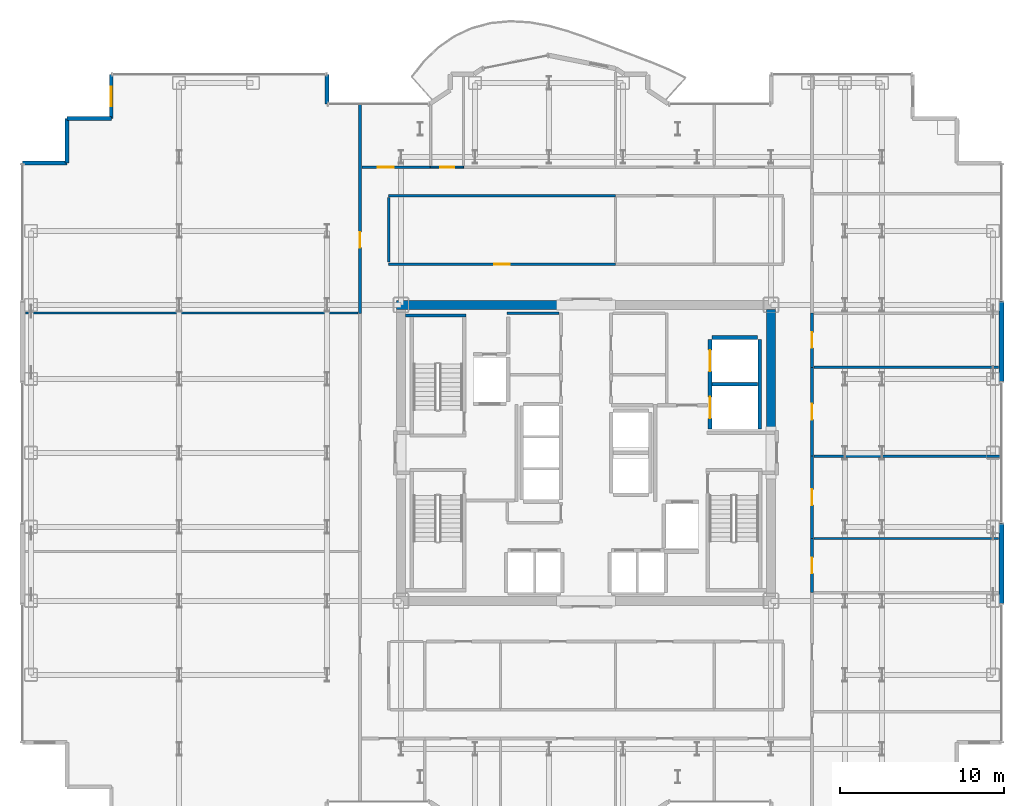
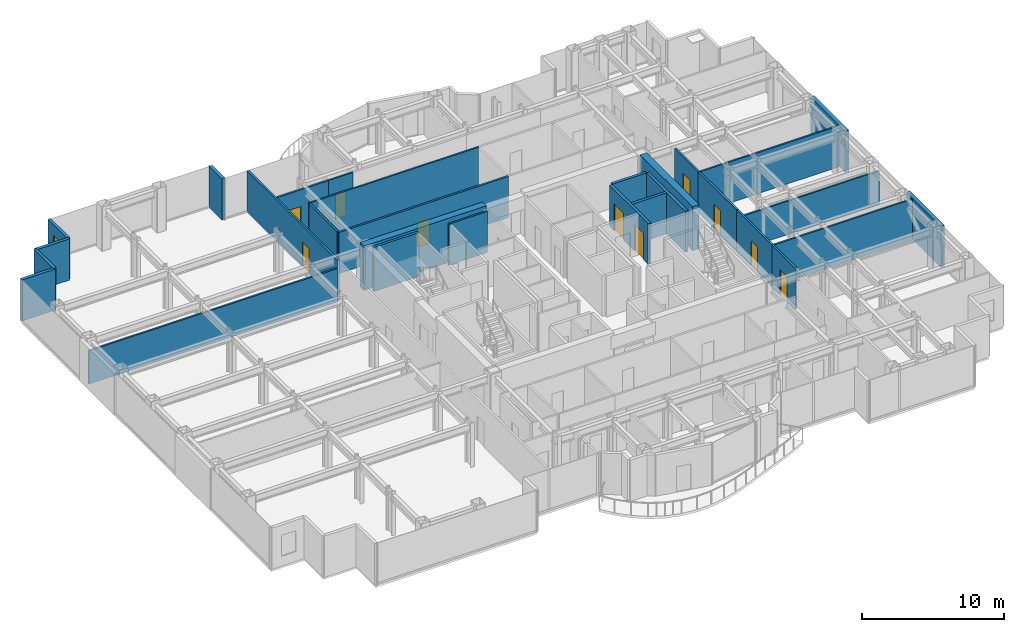
# One storey, part 22 of 26: 29 walls, 10 doors, 1 window, 11 openings.
"""IFC4 building model written with IfcOpenShell, lengths in metres."""

from ifc_helpers import new_model, si_unit, direction, frame, frame_2d, origin, place, context, subcontext, project, spatial, rectangle, extrude, source, transform, mapped, material, layer, layer_set, type_object, element, fill, save


model = new_model("IFC4")

# Units and contexts
model_context = context("Model", 3, precision=1e-05, world=origin(), true_north=direction((0.0, 1.0)))
body_context = subcontext(model_context, "Body", "Model", "MODEL_VIEW")
ifc_project = project(units=[si_unit("LENGTHUNIT", "METRE"), si_unit("AREAUNIT", "SQUARE_METRE"), si_unit("VOLUMEUNIT", "CUBIC_METRE"), si_unit("PLANEANGLEUNIT", "RADIAN"), si_unit("MASSUNIT", "GRAM", prefix="KILO")], contexts=[model_context])

# Site, building, storey
site_placement = place(None, origin())
site = spatial("IfcSite", under=ifc_project, at=site_placement, CompositionType="ELEMENT")
building_placement = place(site_placement, origin())
building = spatial("IfcBuilding", under=site, at=building_placement, Name="Nefas-Gora Pilgrimage Tower", CompositionType="ELEMENT")
storey_placement = place(building_placement, frame((0.0, 0.0, 171.60009765625)))
storey = spatial("IfcBuildingStorey", under=building, at=storey_placement, Name="L42", CompositionType="ELEMENT", Elevation=171.60009765625)

# Walls
ifc_material_1 = material(Name="Concrete C60/75", Category="concrete")
ifc_layer_1 = layer(ifc_material_1, 0.550048828125)
ifc_layer_set_1 = layer_set([ifc_layer_1], Name="Concrete C60/75")
wall_type_1 = type_object("IfcWallType", Name="SW-CORE-550", PredefinedType="SHEAR", material=ifc_layer_set_1)
shared_shape_1 = source(origin(), body_context, "Body", "SweptSolid", [
    extrude(rectangle(XDim=9.974853515625, YDim=0.550048828125, at=frame_2d((4.9873046875, 0.0))), origin(), (0.0, 0.0, 1.0), 3.7998046875),
])
wall_1_placement = place(storey_placement, frame((-11.52490234375, 9.0, 0.0), z_axis=(0.0, 0.0, 1.0), x_axis=(1.0, 0.0, 0.0)))
element("IfcWall", 1, at=wall_1_placement, inside=storey, type_object=wall_type_1, Name="L42 Core Shear Wall N-West", PredefinedType="SHEAR", context=body_context, shape_type="MappedRepresentation", body=[
    mapped(shared_shape_1, transform((0.0, 0.0, 0.0), x_axis=(1.0, 0.0, 0.0), y_axis=(0.0, 1.0, 0.0), z_axis=(0.0, 0.0, 1.0), scale=1.0)),
])
shared_shape_2 = source(origin(), body_context, "Body", "SweptSolid", [
    extrude(rectangle(XDim=7.375, YDim=0.550048828125, at=frame_2d((3.6875, 0.0))), origin(), (0.0, 0.0, 1.0), 3.7998046875),
])
wall_2_placement = place(storey_placement, frame((11.25, 1.35009765625, 0.0), z_axis=(0.0, 0.0, 1.0), x_axis=(0.0, 1.0, 0.0)))
element("IfcWall", 2, at=wall_2_placement, inside=storey, type_object=wall_type_1, Name="L42 Core Shear Wall E-North", PredefinedType="SHEAR", context=body_context, shape_type="MappedRepresentation", body=[
    mapped(shared_shape_2, transform((0.0, 0.0, 0.0), x_axis=(1.0, 0.0, 0.0), y_axis=(0.0, 1.0, 0.0), z_axis=(0.0, 0.0, 1.0), scale=1.0)),
])
ifc_material_2 = material(Name="Precast concrete C40/50", Category="concrete")
ifc_layer_2 = layer(ifc_material_2, 0.260009765625)
ifc_layer_set_2 = layer_set([ifc_layer_2], Name="Precast concrete C40/50")
wall_type_2 = type_object("IfcWallType", Name="EW-PORTAL-260", PredefinedType="SOLIDWALL", material=ifc_layer_set_2)
shared_shape_3 = source(origin(), body_context, "Body", "SweptSolid", [
    extrude(rectangle(XDim=1.800048828125, YDim=0.260009765625, at=frame_2d((0.89990234375, 0.0))), origin(), (0.0, 0.0, 1.0), 3.5498046875),
])
wall_3_placement = place(storey_placement, frame((-15.75, 21.219970703125, 0.0), z_axis=(0.0, 0.0, 1.0), x_axis=(0.0, 1.0, 0.0)))
element("IfcWall", 3, at=wall_3_placement, inside=storey, type_object=wall_type_2, Name="L42 Lobe Shoulder Precast Spandrel Pier 24", PredefinedType="SOLIDWALL", context=body_context, shape_type="MappedRepresentation", body=[
    mapped(shared_shape_3, transform((0.0, 0.0, 0.0), x_axis=(1.0, 0.0, 0.0), y_axis=(0.0, 1.0, 0.0), z_axis=(0.0, 0.0, 1.0), scale=1.0)),
])

# Wall, opening, window
ifc_material_3 = material(Name="Precast concrete C45/55", Category="concrete")
ifc_layer_3 = layer(ifc_material_3, 0.239990234375)
ifc_layer_set_3 = layer_set([ifc_layer_3], Name="Precast concrete C45/55")
wall_type_3 = type_object("IfcWallType", Name="EW-SERR-240", PredefinedType="SHEAR", material=ifc_layer_set_3)
shared_shape_4 = source(origin(), body_context, "Body", "SweptSolid", [
    extrude(rectangle(XDim=2.699951171875, YDim=0.239990234375, at=frame_2d((1.35009765625, 0.0))), origin(), (0.0, 0.0, 1.0), 3.5498046875),
])
wall_4_placement = place(storey_placement, frame((-28.8701171875, 23.02001953125, 0.0), z_axis=(0.0, 0.0, 1.0), x_axis=(0.0, -1.0, 0.0)))
wall_4 = element("IfcWall", 4, at=wall_4_placement, inside=storey, type_object=wall_type_3, Name="L42 Serrated Corner Shear Pier Wall 25", PredefinedType="SHEAR", context=body_context, shape_type="MappedRepresentation", body=[
    mapped(shared_shape_4, transform((0.0, 0.0, 0.0), x_axis=(1.0, 0.0, 0.0), y_axis=(0.0, 1.0, 0.0), z_axis=(0.0, 0.0, 1.0), scale=1.0)),
])
opening_1_placement = place(wall_4_placement, frame((0.75, 0.0, 0.85009765625)))
opening_1 = element("IfcOpeningElement", 5, at=opening_1_placement, cuts=wall_4, Name="Opening W-V1", PredefinedType="OPENING", context=body_context, shape_type="SweptSolid", body=[
    extrude(rectangle(XDim=1.199951171875, YDim=1.800048828125, at=frame_2d((0.60009765625, 0.89990234375))), frame((0.0, 0.1298828125, 0.0), z_axis=(0.0, -1.0, 0.0), x_axis=(1.0, 0.0, 0.0)), (0.0, 0.0, 1.0), 0.260009765625),
])
ifc_material_4 = material(Name="Dark ceramic-fritted operable aluminium-glass window", Category="aluminium")
window_type = type_object("IfcWindowType", Name="WIN-VENT-1200x1800", PartitioningType="SINGLE_PANEL", PredefinedType="WINDOW", material=ifc_material_4)
shared_shape_5 = source(origin(), body_context, "Body", "SweptSolid", [
    extrude(rectangle(XDim=1.199951171875, YDim=1.800048828125, at=frame_2d((0.60009765625, 0.89990234375))), frame((0.0, 0.030029296875, 0.0), z_axis=(0.0, -1.0, 0.0), x_axis=(1.0, 0.0, 0.0)), (0.0, 0.0, 1.0), 0.06005859375),
])
window_placement = place(opening_1_placement, origin())
window = element("IfcWindow", 6, at=window_placement, inside=storey, type_object=window_type, Name="L42 Operable Parallel-Outswing Window 25", OverallHeight=1.800048828125, OverallWidth=1.199951171875, PartitioningType="SINGLE_PANEL", PredefinedType="WINDOW", context=body_context, shape_type="MappedRepresentation", body=[
    mapped(shared_shape_5, transform((0.0, 0.0, 0.0), x_axis=(1.0, 0.0, 0.0), y_axis=(0.0, 1.0, 0.0), z_axis=(0.0, 0.0, 1.0), scale=1.0)),
])
fill(opening_1, window)

# Walls
for number, where, z_axis, x_axis, name in (
    (7, (-28.8701171875, 20.320068359375, 0.0), (0.0, 0.0, 1.0), (-1.0, 0.0, 0.0), "L42 Serrated Corner Shear Pier Wall 26"),
    (8, (-31.570068359375, 20.320068359375, 0.0), (0.0, 0.0, 1.0), (0.0, -1.0, 0.0), "L42 Serrated Corner Shear Pier Wall 27"),
    (9, (-31.570068359375, 17.6201171875, 0.0), (0.0, 0.0, 1.0), (-1.0, 0.0, 0.0), "L42 Serrated Corner Shear Pier Wall 28"),
):
    element("IfcWall", number, at=place(storey_placement, frame(where, z_axis=z_axis, x_axis=x_axis)), inside=storey, type_object=wall_type_3, Name=name, PredefinedType="SHEAR", context=body_context, shape_type="MappedRepresentation", body=[
        mapped(shared_shape_4, transform((0.0, 0.0, 0.0), x_axis=(1.0, 0.0, 0.0), y_axis=(0.0, 1.0, 0.0), z_axis=(0.0, 0.0, 1.0), scale=1.0)),
    ])
shared_shape_6 = source(origin(), body_context, "Body", "SweptSolid", [
    extrude(rectangle(XDim=4.8798828125, YDim=0.300048828125, at=frame_2d((2.43994140625, 0.0))), origin(), (0.0, 0.0, 1.0), 3.5498046875),
])
for number, where, z_axis, x_axis, name in (
    (10, (25.27001953125, -9.18994140625, 0.0), (0.0, 0.0, 1.0), (0.0, 1.0, 0.0), "L42 Braced-Tube Precast Shear Cladding 3"),
    (11, (25.27001953125, 4.31005859375, 0.0), (0.0, 0.0, 1.0), (0.0, 1.0, 0.0), "L42 Braced-Tube Precast Shear Cladding 4"),
):
    element("IfcWall", number, at=place(storey_placement, frame(where, z_axis=z_axis, x_axis=x_axis)), inside=storey, type_object=wall_type_3, Name=name, PredefinedType="SHEAR", context=body_context, shape_type="MappedRepresentation", body=[
        mapped(shared_shape_6, transform((0.0, 0.0, 0.0), x_axis=(1.0, 0.0, 0.0), y_axis=(0.0, 1.0, 0.0), z_axis=(0.0, 0.0, 1.0), scale=1.0)),
    ])
ifc_material_5 = material(Name="Concrete C45/55", Category="concrete")
ifc_layer_4 = layer(ifc_material_5, 0.199951171875)
ifc_layer_set_4 = layer_set([ifc_layer_4], Name="Concrete C45/55")
wall_type_4 = type_object("IfcWallType", Name="IW-STAIR-200", PredefinedType="SOLIDWALL", material=ifc_layer_set_4)
shared_shape_7 = source(origin(), body_context, "Body", "SweptSolid", [
    extrude(rectangle(XDim=3.679931640625, YDim=0.199951171875, at=frame_2d((1.83984375, 0.0))), origin(), (0.0, 0.0, 1.0), 3.7998046875),
])
wall_5_placement = place(storey_placement, frame((-7.300048828125, 8.35009765625, 0.0), z_axis=(0.0, 0.0, 1.0), x_axis=(-1.0, 0.0, 0.0)))
element("IfcWall", 12, at=wall_5_placement, inside=storey, type_object=wall_type_4, Name="L42 Stairwell Shear Wall ST-01-far", PredefinedType="SOLIDWALL", context=body_context, shape_type="MappedRepresentation", body=[
    mapped(shared_shape_7, transform((0.0, 0.0, 0.0), x_axis=(1.0, 0.0, 0.0), y_axis=(0.0, 1.0, 0.0), z_axis=(0.0, 0.0, 1.0), scale=1.0)),
])

# Wall, openings, doors
ifc_material_6 = material(Name="Concrete C40/50", Category="concrete")
ifc_layer_5 = layer(ifc_material_6, 0.219970703125)
ifc_layer_set_5 = layer_set([ifc_layer_5], Name="Concrete C40/50")
wall_type_5 = type_object("IfcWallType", Name="IW-SHAFT-220", PredefinedType="SOLIDWALL", material=ifc_layer_set_5)
shared_shape_8 = source(origin(), body_context, "Body", "SweptSolid", [
    extrude(rectangle(XDim=5.449951171875, YDim=0.219970703125, at=frame_2d((2.72509765625, 0.0))), origin(), (0.0, 0.0, 1.0), 3.534912109375),
])
wall_6_placement = place(storey_placement, frame((7.5400390625, 6.89990234375, 0.0), z_axis=(0.0, 0.0, 1.0), x_axis=(0.0, -1.0, 0.0)))
wall_6 = element("IfcWall", 13, at=wall_6_placement, inside=storey, type_object=wall_type_5, Name="L42 Hoistway Wall SL-01-02-W", PredefinedType="SOLIDWALL", context=body_context, shape_type="MappedRepresentation", body=[
    mapped(shared_shape_8, transform((0.0, 0.0, 0.0), x_axis=(1.0, 0.0, 0.0), y_axis=(0.0, 1.0, 0.0), z_axis=(0.0, 0.0, 1.0), scale=1.0)),
])
opening_2_placement = place(wall_6_placement, frame((3.5, 0.0, 0.0)))
opening_2 = element("IfcOpeningElement", 14, at=opening_2_placement, cuts=wall_6, Name="Opening LD-SV", PredefinedType="OPENING", context=body_context, shape_type="SweptSolid", body=[
    extrude(rectangle(XDim=1.300048828125, YDim=2.300048828125, at=frame_2d((0.64990234375, 1.14990234375))), frame((0.0, 0.119873046875, 0.0), z_axis=(0.0, -1.0, 0.0), x_axis=(1.0, 0.0, 0.0)), (0.0, 0.0, 1.0), 0.239990234375),
])
opening_3_placement = place(wall_6_placement, frame((0.64990234375, 0.0, 0.0)))
opening_3 = element("IfcOpeningElement", 15, at=opening_3_placement, cuts=wall_6, Name="Opening LD-SV", PredefinedType="OPENING", context=body_context, shape_type="SweptSolid", body=[
    extrude(rectangle(XDim=1.300048828125, YDim=2.300048828125, at=frame_2d((0.64990234375, 1.14990234375))), frame((0.0, 0.119873046875, 0.0), z_axis=(0.0, -1.0, 0.0), x_axis=(1.0, 0.0, 0.0)), (0.0, 0.0, 1.0), 0.239990234375),
])
ifc_material_7 = material(Name="Heavy goods sliding lift landing door")
door_type_1 = type_object("IfcDoorType", Name="DR-LIFT-SERV-1300", OperationType="SLIDING_TO_RIGHT", PredefinedType="DOOR", material=ifc_material_7)
shared_shape_9 = source(origin(), body_context, "Body", "SweptSolid", [
    extrude(rectangle(XDim=1.300048828125, YDim=2.300048828125, at=frame_2d((0.64990234375, 1.14990234375))), frame((0.0, 0.02490234375, 0.0), z_axis=(0.0, -1.0, 0.0), x_axis=(1.0, 0.0, 0.0)), (0.0, 0.0, 1.0), 0.050048828125),
])
door_1_placement = place(opening_2_placement, origin())
door_1 = element("IfcDoor", 16, at=door_1_placement, inside=storey, type_object=door_type_1, Name="L42 Sliding Lift Landing Door SL-01", OperationType="SLIDING_TO_RIGHT", OverallHeight=2.300048828125, OverallWidth=1.300048828125, PredefinedType="DOOR", context=body_context, shape_type="MappedRepresentation", body=[
    mapped(shared_shape_9, transform((0.0, 0.0, 0.0), x_axis=(1.0, 0.0, 0.0), y_axis=(0.0, 1.0, 0.0), z_axis=(0.0, 0.0, 1.0), scale=1.0)),
])
fill(opening_2, door_1)
door_2_placement = place(opening_3_placement, origin())
door_2 = element("IfcDoor", 17, at=door_2_placement, inside=storey, type_object=door_type_1, Name="L42 Sliding Lift Landing Door SL-02", OperationType="SLIDING_TO_RIGHT", OverallHeight=2.300048828125, OverallWidth=1.300048828125, PredefinedType="DOOR", context=body_context, shape_type="MappedRepresentation", body=[
    mapped(shared_shape_9, transform((0.0, 0.0, 0.0), x_axis=(1.0, 0.0, 0.0), y_axis=(0.0, 1.0, 0.0), z_axis=(0.0, 0.0, 1.0), scale=1.0)),
])
fill(opening_3, door_2)

# Walls
wall_7_placement = place(storey_placement, frame((10.56005859375, 1.449951171875, 0.0), z_axis=(0.0, 0.0, 1.0), x_axis=(0.0, 1.0, 0.0)))
element("IfcWall", 18, at=wall_7_placement, inside=storey, type_object=wall_type_5, Name="L42 Hoistway Wall SL-01-02-E", PredefinedType="SOLIDWALL", context=body_context, shape_type="MappedRepresentation", body=[
    mapped(shared_shape_8, transform((0.0, 0.0, 0.0), x_axis=(1.0, 0.0, 0.0), y_axis=(0.0, 1.0, 0.0), z_axis=(0.0, 0.0, 1.0), scale=1.0)),
])
shared_shape_10 = source(origin(), body_context, "Body", "SweptSolid", [
    extrude(rectangle(XDim=2.780029296875, YDim=0.219970703125, at=frame_2d((1.39013671875, 0.0))), origin(), (0.0, 0.0, 1.0), 3.534912109375),
])
for number, where, z_axis, x_axis, name in (
    (19, (7.659912109375, 4.175048828125, 0.0), (0.0, 0.0, 1.0), (1.0, 0.0, 0.0), "L42 Hoistway Wall SL-01-02-DIV"),
    (20, (10.43994140625, 7.010009765625, 0.0), (0.0, 0.0, 1.0), (-1.0, 0.0, 0.0), "L42 Hoistway Wall SL-02-N"),
):
    element("IfcWall", number, at=place(storey_placement, frame(where, z_axis=z_axis, x_axis=x_axis)), inside=storey, type_object=wall_type_5, Name=name, PredefinedType="SOLIDWALL", context=body_context, shape_type="MappedRepresentation", body=[
        mapped(shared_shape_10, transform((0.0, 0.0, 0.0), x_axis=(1.0, 0.0, 0.0), y_axis=(0.0, 1.0, 0.0), z_axis=(0.0, 0.0, 1.0), scale=1.0)),
    ])

# Wall, opening, door
ifc_material_8 = material(Name="Moisture-resistant fire-rated gypsum partition")
ifc_layer_6 = layer(ifc_material_8, 0.1201171875)
ifc_layer_set_6 = layer_set([ifc_layer_6], Name="Moisture-resistant fire-rated gypsum partition")
wall_type_6 = type_object("IfcWallType", Name="IW-WET-120", PredefinedType="PLUMBINGWALL", material=ifc_layer_set_6)
shared_shape_11 = source(origin(), body_context, "Body", "SweptSolid", [
    extrude(rectangle(XDim=2.02001953125, YDim=0.1201171875, at=frame_2d((1.010009765625, 0.0))), origin(), (0.0, 0.0, 1.0), 3.534912109375),
])
wall_8_placement = place(storey_placement, frame((-9.4599609375, 17.3701171875, 0.0), z_axis=(0.0, 0.0, 1.0), x_axis=(1.0, 0.0, 0.0)))
wall_8 = element("IfcWall", 21, at=wall_8_placement, inside=storey, type_object=wall_type_6, Name="L42 Accessible Unisex WC Partition Wall 29", PredefinedType="PLUMBINGWALL", context=body_context, shape_type="MappedRepresentation", body=[
    mapped(shared_shape_11, transform((0.0, 0.0, 0.0), x_axis=(1.0, 0.0, 0.0), y_axis=(0.0, 1.0, 0.0), z_axis=(0.0, 0.0, 1.0), scale=1.0)),
])
opening_4_placement = place(wall_8_placement, frame((0.5849609375, 0.0, 0.0)))
opening_4 = element("IfcOpeningElement", 22, at=opening_4_placement, cuts=wall_8, Name="Opening ID-BT1", PredefinedType="OPENING", context=body_context, shape_type="SweptSolid", body=[
    extrude(rectangle(XDim=0.85009765625, YDim=2.10009765625, at=frame_2d((0.425048828125, 1.050048828125))), frame((0.0, 0.070068359375, 0.0), z_axis=(0.0, -1.0, 0.0), x_axis=(1.0, 0.0, 0.0)), (0.0, 0.0, 1.0), 0.14013671875),
])
ifc_material_9 = material(Name="Moisture-resistant fire-rated timber door", Category="wood")
door_type_2 = type_object("IfcDoorType", Name="DR-INT-BATH-850", OperationType="NOTDEFINED", PredefinedType="DOOR", material=ifc_material_9)
shared_shape_12 = source(origin(), body_context, "Body", "SweptSolid", [
    extrude(rectangle(XDim=0.85009765625, YDim=2.10009765625, at=frame_2d((0.425048828125, 1.050048828125))), frame((0.0, 0.02490234375, 0.0), z_axis=(0.0, -1.0, 0.0), x_axis=(1.0, 0.0, 0.0)), (0.0, 0.0, 1.0), 0.050048828125),
])
door_3_placement = place(opening_4_placement, origin())
door_3 = element("IfcDoor", 23, at=door_3_placement, inside=storey, type_object=door_type_2, Name="L42 Accessible Unisex WC Door 12", OperationType="SINGLE_SWING_LEFT", OverallHeight=2.10009765625, OverallWidth=0.85009765625, PredefinedType="DOOR", context=body_context, shape_type="MappedRepresentation", body=[
    mapped(shared_shape_12, transform((0.0, 0.0, 0.0), x_axis=(1.0, 0.0, 0.0), y_axis=(0.0, 1.0, 0.0), z_axis=(0.0, 0.0, 1.0), scale=1.0)),
])
fill(opening_4, door_3)

# Wall
ifc_material_10 = material(Name="Gypsum twin-stud partition")
ifc_layer_7 = layer(ifc_material_10, 0.139892578125)
ifc_layer_set_7 = layer_set([ifc_layer_7], Name="Gypsum twin-stud partition")
wall_type_7 = type_object("IfcWallType", Name="IW-UNIT-140", PredefinedType="PARTITIONING", material=ifc_layer_set_7)
shared_shape_13 = source(origin(), body_context, "Body", "SweptSolid", [
    extrude(rectangle(XDim=3.150146484375, YDim=0.139892578125, at=frame_2d((1.5751953125, 0.0))), origin(), (0.0, 0.0, 1.0), 3.534912109375),
])
wall_9_placement = place(storey_placement, frame((-4.7900390625, 8.47998046875, 0.0), z_axis=(0.0, 0.0, 1.0), x_axis=(1.0, 0.0, 0.0)))
element("IfcWall", 24, at=wall_9_placement, inside=storey, type_object=wall_type_7, Name="L42 Archival Supply Store Partition Wall 21", PredefinedType="PARTITIONING", context=body_context, shape_type="MappedRepresentation", body=[
    mapped(shared_shape_13, transform((0.0, 0.0, 0.0), x_axis=(1.0, 0.0, 0.0), y_axis=(0.0, 1.0, 0.0), z_axis=(0.0, 0.0, 1.0), scale=1.0)),
])

# Wall, opening, door
ifc_material_11 = material(Name="Gypsum acoustic stud partition")
ifc_layer_8 = layer(ifc_material_11, 0.159912109375)
ifc_layer_set_8 = layer_set([ifc_layer_8], Name="Gypsum acoustic stud partition")
wall_type_8 = type_object("IfcWallType", Name="IW-CORR-160", PredefinedType="PARTITIONING", material=ifc_layer_set_8)
shared_shape_14 = source(origin(), body_context, "Body", "SweptSolid", [
    extrude(rectangle(XDim=12.75244140625, YDim=0.159912109375, at=frame_2d((6.376220703125, 0.0))), origin(), (0.0, 0.0, 1.0), 3.534912109375),
])
wall_10_placement = place(storey_placement, frame((-13.739990234375, 8.487548828125, 0.0), z_axis=(0.0, 0.0, 1.0), x_axis=(0.0, 1.0, 0.0)))
wall_10 = element("IfcWall", 25, at=wall_10_placement, inside=storey, type_object=wall_type_8, Name="L42 Pilgrim Tea and Beverage Pantry Partition Wall 34", PredefinedType="PARTITIONING", context=body_context, shape_type="MappedRepresentation", body=[
    mapped(shared_shape_14, transform((0.0, 0.0, 0.0), x_axis=(1.0, 0.0, 0.0), y_axis=(0.0, 1.0, 0.0), z_axis=(0.0, 0.0, 1.0), scale=1.0)),
])
opening_5_placement = place(wall_10_placement, frame((3.986328125, 0.0, 0.0)))
opening_5 = element("IfcOpeningElement", 26, at=opening_5_placement, cuts=wall_10, Name="Opening ID-GR1", PredefinedType="OPENING", context=body_context, shape_type="SweptSolid", body=[
    extrude(rectangle(XDim=0.949951171875, YDim=2.10009765625, at=frame_2d((0.47509765625, 1.050048828125))), frame((0.0, 0.08984375, 0.0), z_axis=(0.0, -1.0, 0.0), x_axis=(1.0, 0.0, 0.0)), (0.0, 0.0, 1.0), 0.179931640625),
])
ifc_material_12 = material(Name="Solid core oak fire-rated guest entrance door")
door_type_3 = type_object("IfcDoorType", Name="DR-INT-GUEST-950", OperationType="NOTDEFINED", PredefinedType="DOOR", material=ifc_material_12)
shared_shape_15 = source(origin(), body_context, "Body", "SweptSolid", [
    extrude(rectangle(XDim=0.949951171875, YDim=2.10009765625, at=frame_2d((0.47509765625, 1.050048828125))), frame((0.0, 0.02490234375, 0.0), z_axis=(0.0, -1.0, 0.0), x_axis=(1.0, 0.0, 0.0)), (0.0, 0.0, 1.0), 0.050048828125),
])
door_4_placement = place(opening_5_placement, origin())
door_4 = element("IfcDoor", 27, at=door_4_placement, inside=storey, type_object=door_type_3, Name="L42 Pilgrim Tea and Beverage Pantry Door 14", OperationType="SINGLE_SWING_LEFT", OverallHeight=2.10009765625, OverallWidth=0.949951171875, PredefinedType="DOOR", context=body_context, shape_type="MappedRepresentation", body=[
    mapped(shared_shape_15, transform((0.0, 0.0, 0.0), x_axis=(1.0, 0.0, 0.0), y_axis=(0.0, 1.0, 0.0), z_axis=(0.0, 0.0, 1.0), scale=1.0)),
])
fill(opening_5, door_4)

shared_shape_16 = source(origin(), body_context, "Body", "SweptSolid", [
    extrude(rectangle(XDim=3.309814453125, YDim=0.159912109375, at=frame_2d((1.65478515625, 0.0))), origin(), (0.0, 0.0, 1.0), 3.534912109375),
])
wall_11_placement = place(storey_placement, frame((13.739990234375, -8.5048828125, 0.0), z_axis=(0.0, 0.0, 1.0), x_axis=(0.0, 1.0, 0.0)))
wall_11 = element("IfcWall", 28, at=wall_11_placement, inside=storey, type_object=wall_type_8, Name="L42 Pastoral Chaplains Counselling Office Partition Wall 41", PredefinedType="PARTITIONING", context=body_context, shape_type="MappedRepresentation", body=[
    mapped(shared_shape_16, transform((0.0, 0.0, 0.0), x_axis=(1.0, 0.0, 0.0), y_axis=(0.0, 1.0, 0.0), z_axis=(0.0, 0.0, 1.0), scale=1.0)),
])
opening_6_placement = place(wall_11_placement, frame((1.179931640625, 0.0, 0.0)))
opening_6 = element("IfcOpeningElement", 29, at=opening_6_placement, cuts=wall_11, Name="Opening ID-GR1", PredefinedType="OPENING", context=body_context, shape_type="SweptSolid", body=[
    extrude(rectangle(XDim=0.949951171875, YDim=2.10009765625, at=frame_2d((0.47509765625, 1.050048828125))), frame((0.0, 0.08984375, 0.0), z_axis=(0.0, -1.0, 0.0), x_axis=(1.0, 0.0, 0.0)), (0.0, 0.0, 1.0), 0.179931640625),
])
door_5_placement = place(opening_6_placement, origin())
door_5 = element("IfcDoor", 30, at=door_5_placement, inside=storey, type_object=door_type_3, Name="L42 Pastoral Chaplains Counselling Office Door 18", OperationType="SINGLE_SWING_LEFT", OverallHeight=2.10009765625, OverallWidth=0.949951171875, PredefinedType="DOOR", context=body_context, shape_type="MappedRepresentation", body=[
    mapped(shared_shape_15, transform((0.0, 0.0, 0.0), x_axis=(1.0, 0.0, 0.0), y_axis=(0.0, 1.0, 0.0), z_axis=(0.0, 0.0, 1.0), scale=1.0)),
])
fill(opening_6, door_5)

wall_12_placement = place(storey_placement, frame((13.739990234375, 5.195068359375, 0.0), z_axis=(0.0, 0.0, 1.0), x_axis=(0.0, 1.0, 0.0)))
wall_12 = element("IfcWall", 31, at=wall_12_placement, inside=storey, type_object=wall_type_8, Name="L42 Scripture Reading Study Partition Wall 47", PredefinedType="PARTITIONING", context=body_context, shape_type="MappedRepresentation", body=[
    mapped(shared_shape_16, transform((0.0, 0.0, 0.0), x_axis=(1.0, 0.0, 0.0), y_axis=(0.0, 1.0, 0.0), z_axis=(0.0, 0.0, 1.0), scale=1.0)),
])
opening_7_placement = place(wall_12_placement, frame((1.179931640625, 0.0, 0.0)))
opening_7 = element("IfcOpeningElement", 32, at=opening_7_placement, cuts=wall_12, Name="Opening ID-GR1", PredefinedType="OPENING", context=body_context, shape_type="SweptSolid", body=[
    extrude(rectangle(XDim=0.949951171875, YDim=2.10009765625, at=frame_2d((0.47509765625, 1.050048828125))), frame((0.0, 0.08984375, 0.0), z_axis=(0.0, -1.0, 0.0), x_axis=(1.0, 0.0, 0.0)), (0.0, 0.0, 1.0), 0.179931640625),
])
door_6_placement = place(opening_7_placement, origin())
door_6 = element("IfcDoor", 33, at=door_6_placement, inside=storey, type_object=door_type_3, Name="L42 Scripture Reading Study Door 21", OperationType="SINGLE_SWING_RIGHT", OverallHeight=2.10009765625, OverallWidth=0.949951171875, PredefinedType="DOOR", context=body_context, shape_type="MappedRepresentation", body=[
    mapped(shared_shape_15, transform((0.0, 0.0, 0.0), x_axis=(1.0, 0.0, 0.0), y_axis=(0.0, 1.0, 0.0), z_axis=(0.0, 0.0, 1.0), scale=1.0)),
])
fill(opening_7, door_6)

# Walls
shared_shape_17 = source(origin(), body_context, "Body", "SweptSolid", [
    extrude(rectangle(XDim=20.219970703125, YDim=0.139892578125, at=frame_2d((10.10986328125, 0.0))), origin(), (0.0, 0.0, 1.0), 2.875),
])
wall_13_placement = place(storey_placement, frame((-34.080078125, 8.49755859375, 0.0), z_axis=(0.0, 0.0, 1.0), x_axis=(1.0, 0.0, 0.0)))
element("IfcWall", 34, at=wall_13_placement, inside=storey, type_object=wall_type_7, Name="L42 Pilgrim Tea and Beverage Pantry Partition Wall 35", PredefinedType="PARTITIONING", context=body_context, shape_type="MappedRepresentation", body=[
    mapped(shared_shape_17, transform((0.0, 0.0, 0.0), x_axis=(1.0, 0.0, 0.0), y_axis=(0.0, 1.0, 0.0), z_axis=(0.0, 0.0, 1.0), scale=1.0)),
])
shared_shape_18 = source(origin(), body_context, "Body", "SweptSolid", [
    extrude(rectangle(XDim=11.219970703125, YDim=0.139892578125, at=frame_2d((5.60986328125, 0.0))), origin(), (0.0, 0.0, 1.0), 3.534912109375),
])
for number, where, z_axis, x_axis, name in (
    (35, (13.860107421875, -5.205078125, 0.0), (0.0, 0.0, 1.0), (1.0, 0.0, 0.0), "L42 Pastoral Chaplains Counselling Office Partition Wall 42"),
    (36, (13.860107421875, 5.195068359375, 0.0), (0.0, 0.0, 1.0), (1.0, 0.0, 0.0), "L42 Pilgrim Contemplative Lounge Partition Wall 46"),
):
    element("IfcWall", number, at=place(storey_placement, frame(where, z_axis=z_axis, x_axis=x_axis)), inside=storey, type_object=wall_type_7, Name=name, PredefinedType="PARTITIONING", context=body_context, shape_type="MappedRepresentation", body=[
        mapped(shared_shape_18, transform((0.0, 0.0, 0.0), x_axis=(1.0, 0.0, 0.0), y_axis=(0.0, 1.0, 0.0), z_axis=(0.0, 0.0, 1.0), scale=1.0)),
    ])
shared_shape_19 = source(origin(), body_context, "Body", "SweptSolid", [
    extrude(rectangle(XDim=3.929931640625, YDim=0.139892578125, at=frame_2d((1.96484375, 0.0))), origin(), (0.0, 0.0, 1.0), 3.534912109375),
])
wall_14_placement = place(storey_placement, frame((-12.0, 11.590087890625, 0.0), z_axis=(0.0, 0.0, 1.0), x_axis=(0.0, 1.0, 0.0)))
element("IfcWall", 37, at=wall_14_placement, inside=storey, type_object=wall_type_7, Name="L42 Pilgrim Contemplative Lounge Partition Wall 54", PredefinedType="PARTITIONING", context=body_context, shape_type="MappedRepresentation", body=[
    mapped(shared_shape_19, transform((0.0, 0.0, 0.0), x_axis=(1.0, 0.0, 0.0), y_axis=(0.0, 1.0, 0.0), z_axis=(0.0, 0.0, 1.0), scale=1.0)),
])

# Wall, opening, door
shared_shape_20 = source(origin(), body_context, "Body", "SweptSolid", [
    extrude(rectangle(XDim=4.16015625, YDim=0.159912109375, at=frame_2d((2.080078125, 0.0))), origin(), (0.0, 0.0, 1.0), 3.534912109375),
])
wall_15_placement = place(storey_placement, frame((-13.6201171875, 17.3701171875, 0.0), z_axis=(0.0, 0.0, 1.0), x_axis=(1.0, 0.0, 0.0)))
wall_15 = element("IfcWall", 38, at=wall_15_placement, inside=storey, type_object=wall_type_8, Name="L42 Pilgrim Contemplative Lounge Partition Wall 58", PredefinedType="PARTITIONING", context=body_context, shape_type="MappedRepresentation", body=[
    mapped(shared_shape_20, transform((0.0, 0.0, 0.0), x_axis=(1.0, 0.0, 0.0), y_axis=(0.0, 1.0, 0.0), z_axis=(0.0, 0.0, 1.0), scale=1.0)),
])
opening_8_placement = place(wall_15_placement, frame((0.968994140625, 0.0, 0.0)))
opening_8 = element("IfcOpeningElement", 39, at=opening_8_placement, cuts=wall_15, Name="Opening ID-GR1", PredefinedType="OPENING", context=body_context, shape_type="SweptSolid", body=[
    extrude(rectangle(XDim=0.949951171875, YDim=2.10009765625, at=frame_2d((0.47509765625, 1.050048828125))), frame((0.0, 0.08984375, 0.0), z_axis=(0.0, -1.0, 0.0), x_axis=(1.0, 0.0, 0.0)), (0.0, 0.0, 1.0), 0.179931640625),
])
door_7_placement = place(opening_8_placement, origin())
door_7 = element("IfcDoor", 40, at=door_7_placement, inside=storey, type_object=door_type_3, Name="L42 Pilgrim Contemplative Lounge Door 26", OperationType="SINGLE_SWING_LEFT", OverallHeight=2.10009765625, OverallWidth=0.949951171875, PredefinedType="DOOR", context=body_context, shape_type="MappedRepresentation", body=[
    mapped(shared_shape_15, transform((0.0, 0.0, 0.0), x_axis=(1.0, 0.0, 0.0), y_axis=(0.0, 1.0, 0.0), z_axis=(0.0, 0.0, 1.0), scale=1.0)),
])
fill(opening_8, door_7)

# Wall
shared_shape_21 = source(origin(), body_context, "Body", "SweptSolid", [
    extrude(rectangle(XDim=11.429931640625, YDim=0.139892578125, at=frame_2d((5.71484375, 0.0))), origin(), (0.0, 0.0, 1.0), 2.875),
])
wall_16_placement = place(storey_placement, frame((13.860107421875, -0.205078125, 0.0), z_axis=(0.0, 0.0, 1.0), x_axis=(1.0, 0.0, 0.0)))
element("IfcWall", 41, at=wall_16_placement, inside=storey, type_object=wall_type_7, Name="L42 Pilgrim Contemplative Lounge Partition Wall 44", PredefinedType="PARTITIONING", context=body_context, shape_type="MappedRepresentation", body=[
    mapped(shared_shape_21, transform((0.0, 0.0, 0.0), x_axis=(1.0, 0.0, 0.0), y_axis=(0.0, 1.0, 0.0), z_axis=(0.0, 0.0, 1.0), scale=1.0)),
])

# Wall, opening, door
shared_shape_22 = source(origin(), body_context, "Body", "SweptSolid", [
    extrude(rectangle(XDim=5.010009765625, YDim=0.159912109375, at=frame_2d((2.5048828125, 0.0))), origin(), (0.0, 0.0, 1.0), 3.534912109375),
])
wall_17_placement = place(storey_placement, frame((13.739990234375, -5.205078125, 0.0), z_axis=(0.0, 0.0, 1.0), x_axis=(0.0, 1.0, 0.0)))
wall_17 = element("IfcWall", 42, at=wall_17_placement, inside=storey, type_object=wall_type_8, Name="L42 Pilgrim Contemplative Lounge Partition Wall 43", PredefinedType="PARTITIONING", context=body_context, shape_type="MappedRepresentation", body=[
    mapped(shared_shape_22, transform((0.0, 0.0, 0.0), x_axis=(1.0, 0.0, 0.0), y_axis=(0.0, 1.0, 0.0), z_axis=(0.0, 0.0, 1.0), scale=1.0)),
])
opening_9_placement = place(wall_17_placement, frame((2.030029296875, 0.0, 0.0)))
opening_9 = element("IfcOpeningElement", 43, at=opening_9_placement, cuts=wall_17, Name="Opening ID-GR1", PredefinedType="OPENING", context=body_context, shape_type="SweptSolid", body=[
    extrude(rectangle(XDim=0.949951171875, YDim=2.10009765625, at=frame_2d((0.47509765625, 1.050048828125))), frame((0.0, 0.08984375, 0.0), z_axis=(0.0, -1.0, 0.0), x_axis=(1.0, 0.0, 0.0)), (0.0, 0.0, 1.0), 0.179931640625),
])
door_8_placement = place(opening_9_placement, origin())
door_8 = element("IfcDoor", 44, at=door_8_placement, inside=storey, type_object=door_type_3, Name="L42 Pilgrim Contemplative Lounge Door 19", OperationType="SINGLE_SWING_RIGHT", OverallHeight=2.10009765625, OverallWidth=0.949951171875, PredefinedType="DOOR", context=body_context, shape_type="MappedRepresentation", body=[
    mapped(shared_shape_15, transform((0.0, 0.0, 0.0), x_axis=(1.0, 0.0, 0.0), y_axis=(0.0, 1.0, 0.0), z_axis=(0.0, 0.0, 1.0), scale=1.0)),
])
fill(opening_9, door_8)

shared_shape_23 = source(origin(), body_context, "Body", "SweptSolid", [
    extrude(rectangle(XDim=5.41015625, YDim=0.159912109375, at=frame_2d((2.705078125, 0.0))), origin(), (0.0, 0.0, 1.0), 3.534912109375),
])
wall_18_placement = place(storey_placement, frame((13.739990234375, -0.205078125, 0.0), z_axis=(0.0, 0.0, 1.0), x_axis=(0.0, 1.0, 0.0)))
wall_18 = element("IfcWall", 45, at=wall_18_placement, inside=storey, type_object=wall_type_8, Name="L42 Pilgrim Contemplative Lounge Partition Wall 45", PredefinedType="PARTITIONING", context=body_context, shape_type="MappedRepresentation", body=[
    mapped(shared_shape_23, transform((0.0, 0.0, 0.0), x_axis=(1.0, 0.0, 0.0), y_axis=(0.0, 1.0, 0.0), z_axis=(0.0, 0.0, 1.0), scale=1.0)),
])
opening_10_placement = place(wall_18_placement, frame((2.22998046875, 0.0, 0.0)))
opening_10 = element("IfcOpeningElement", 46, at=opening_10_placement, cuts=wall_18, Name="Opening ID-GR1", PredefinedType="OPENING", context=body_context, shape_type="SweptSolid", body=[
    extrude(rectangle(XDim=0.949951171875, YDim=2.10009765625, at=frame_2d((0.47509765625, 1.050048828125))), frame((0.0, 0.08984375, 0.0), z_axis=(0.0, -1.0, 0.0), x_axis=(1.0, 0.0, 0.0)), (0.0, 0.0, 1.0), 0.179931640625),
])
door_9_placement = place(opening_10_placement, origin())
door_9 = element("IfcDoor", 47, at=door_9_placement, inside=storey, type_object=door_type_3, Name="L42 Pilgrim Contemplative Lounge Door 20", OperationType="SINGLE_SWING_LEFT", OverallHeight=2.10009765625, OverallWidth=0.949951171875, PredefinedType="DOOR", context=body_context, shape_type="MappedRepresentation", body=[
    mapped(shared_shape_15, transform((0.0, 0.0, 0.0), x_axis=(1.0, 0.0, 0.0), y_axis=(0.0, 1.0, 0.0), z_axis=(0.0, 0.0, 1.0), scale=1.0)),
])
fill(opening_10, door_9)

shared_shape_24 = source(origin(), body_context, "Body", "SweptSolid", [
    extrude(rectangle(XDim=13.81494140625, YDim=0.159912109375, at=frame_2d((6.907470703125, 0.0))), origin(), (0.0, 0.0, 1.0), 3.534912109375),
])
wall_19_placement = place(storey_placement, frame((-12.010009765625, 11.469970703125, 0.0), z_axis=(0.0, 0.0, 1.0), x_axis=(1.0, 0.0, 0.0)))
wall_19 = element("IfcWall", 48, at=wall_19_placement, inside=storey, type_object=wall_type_8, Name="L42 Pilgrim Contemplative Lounge Partition Wall 52", PredefinedType="PARTITIONING", context=body_context, shape_type="MappedRepresentation", body=[
    mapped(shared_shape_24, transform((0.0, 0.0, 0.0), x_axis=(1.0, 0.0, 0.0), y_axis=(0.0, 1.0, 0.0), z_axis=(0.0, 0.0, 1.0), scale=1.0)),
])
opening_11_placement = place(wall_19_placement, frame((6.4326171875, 0.0, 0.0)))
opening_11 = element("IfcOpeningElement", 49, at=opening_11_placement, cuts=wall_19, Name="Opening ID-GR1", PredefinedType="OPENING", context=body_context, shape_type="SweptSolid", body=[
    extrude(rectangle(XDim=0.949951171875, YDim=2.10009765625, at=frame_2d((0.47509765625, 1.050048828125))), frame((0.0, 0.08984375, 0.0), z_axis=(0.0, -1.0, 0.0), x_axis=(1.0, 0.0, 0.0)), (0.0, 0.0, 1.0), 0.179931640625),
])
door_10_placement = place(opening_11_placement, origin())
door_10 = element("IfcDoor", 50, at=door_10_placement, inside=storey, type_object=door_type_3, Name="L42 Pilgrim Contemplative Lounge Door 24", OperationType="SINGLE_SWING_LEFT", OverallHeight=2.10009765625, OverallWidth=0.949951171875, PredefinedType="DOOR", context=body_context, shape_type="MappedRepresentation", body=[
    mapped(shared_shape_15, transform((0.0, 0.0, 0.0), x_axis=(1.0, 0.0, 0.0), y_axis=(0.0, 1.0, 0.0), z_axis=(0.0, 0.0, 1.0), scale=1.0)),
])
fill(opening_11, door_10)

# Wall
shared_shape_25 = source(origin(), body_context, "Body", "SweptSolid", [
    extrude(rectangle(XDim=13.81494140625, YDim=0.139892578125, at=frame_2d((6.907470703125, 0.0))), origin(), (0.0, 0.0, 1.0), 3.534912109375),
])
wall_20_placement = place(storey_placement, frame((-12.010009765625, 15.6298828125, 0.0), z_axis=(0.0, 0.0, 1.0), x_axis=(1.0, 0.0, 0.0)))
element("IfcWall", 51, at=wall_20_placement, inside=storey, type_object=wall_type_7, Name="L42 Pilgrim Contemplative Lounge Partition Wall 53", PredefinedType="PARTITIONING", context=body_context, shape_type="MappedRepresentation", body=[
    mapped(shared_shape_25, transform((0.0, 0.0, 0.0), x_axis=(1.0, 0.0, 0.0), y_axis=(0.0, 1.0, 0.0), z_axis=(0.0, 0.0, 1.0), scale=1.0)),
])

save(model, "model.ifc")
